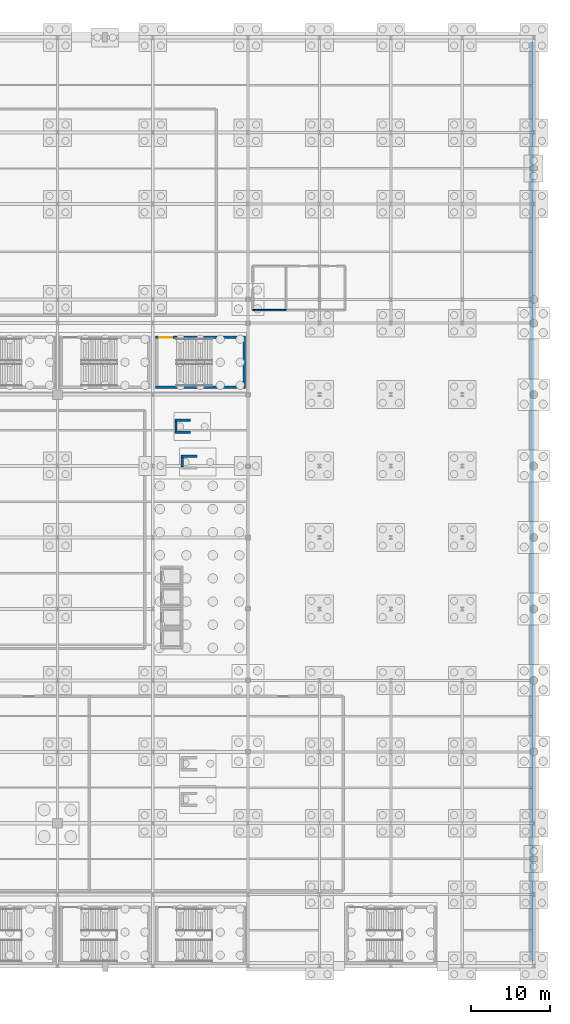
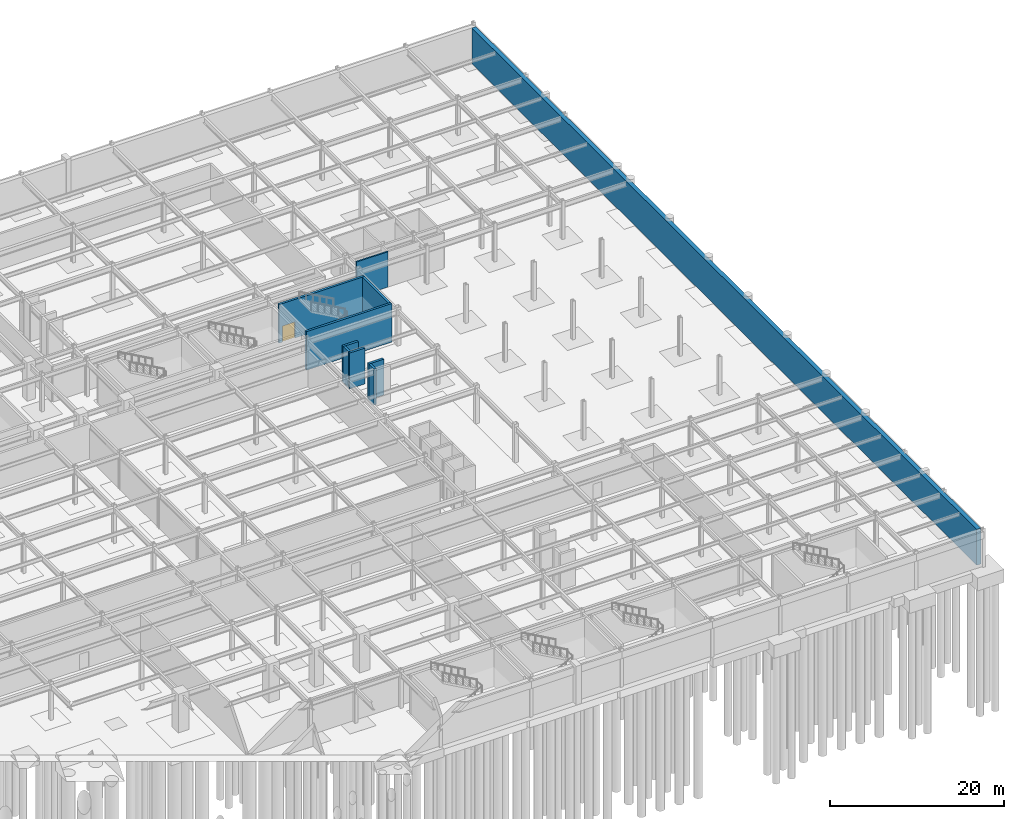
# One storey, part 34 of 47: 10 walls, 1 door, 1 opening.
"""IFC4 building model written with IfcOpenShell, lengths in metres."""

import ifcopenshell
import ifcopenshell.guid

model = None  # the IFC model being written
_history = None  # IfcOwnerHistory: only IFC2X3 demands one
_inside = {}  # id of a spatial element -> (the spatial element, [elements in it])
_under = {}  # id of a project, library or spatial element -> (it, [spatial elements below it])
_declared = {}  # id of a project -> (the project, [libraries it declares])
_typed = {}  # id of a type object -> (the type object, [elements of that type])
_made_of = {}  # id of a material, layer set ... -> (it, [elements and type objects made of it])


def new_model(schema):
    """Start an empty IFC model of exactly this schema.

    Asked for "IFC4X3", IfcOpenShell would pick the latest addendum, in which some entities
    have other attributes; the version numbers below select the first issue.
    IFC2X3 requires an IfcOwnerHistory on every rooted entity: one is made here for all.
    """
    global model, _history
    if schema == "IFC4X3":
        model = ifcopenshell.file(schema_version=(4, 3, 0, 0))
    else:
        model = ifcopenshell.file(schema=schema)
    _inside.clear()
    _under.clear()
    _declared.clear()
    _typed.clear()
    _made_of.clear()
    _history = None
    if model.schema == "IFC2X3":
        org = make("IfcOrganization", Name="unknown")
        user = make(
            "IfcPersonAndOrganization",
            ThePerson=make("IfcPerson", FamilyName="unknown"),
            TheOrganization=org,
        )
        app = make(
            "IfcApplication",
            ApplicationDeveloper=org,
            Version="unknown",
            ApplicationFullName="unknown",
            ApplicationIdentifier="unknown",
        )
        _history = make(
            "IfcOwnerHistory",
            OwningUser=user,
            OwningApplication=app,
            ChangeAction="ADDED",
            CreationDate=0,
        )
    return model


def make(cls, **values):
    """One entity of the class cls with the attributes given. An attribute that is None is left unset."""
    return model.create_entity(
        cls, **{name: value for name, value in values.items() if value is not None}
    )


def rooted(cls, **values):
    """An entity with a GlobalId (a new one), such as an element, a storey or a relation."""
    return make(cls, GlobalId=ifcopenshell.guid.new(), OwnerHistory=_history, **values)


def si_unit(unit_type, name, prefix=None):
    """IfcSIUnit, for example si_unit("LENGTHUNIT", "METRE", prefix="MILLI")."""
    return make("IfcSIUnit", UnitType=unit_type, Prefix=prefix, Name=name)


def assignment(units):
    """IfcUnitAssignment: the units of a project."""
    return None if units is None else make("IfcUnitAssignment", Units=units)


def point(xyz):
    """IfcCartesianPoint."""
    return None if xyz is None else make("IfcCartesianPoint", Coordinates=xyz)


def direction(xyz):
    """IfcDirection."""
    return None if xyz is None else make("IfcDirection", DirectionRatios=xyz)


def frame(location, z_axis=None, x_axis=None):
    """IfcAxis2Placement3D, a coordinate frame: its origin and axes. An axis left out is left unset."""
    return make(
        "IfcAxis2Placement3D",
        Location=point(location),
        Axis=direction(z_axis),
        RefDirection=direction(x_axis),
    )


def frame_2d(location, x_axis=None):
    """IfcAxis2Placement2D, a coordinate frame in the plane: its origin and x axis."""
    return make(
        "IfcAxis2Placement2D", Location=point(location), RefDirection=direction(x_axis)
    )


def origin():
    """The frame at (0, 0, 0) with its axes left unset."""
    return frame((0.0, 0.0, 0.0))


def place(relative_to, where):
    """IfcLocalPlacement: puts the frame where relative to a parent placement (None: the world)."""
    return make(
        "IfcLocalPlacement", PlacementRelTo=relative_to, RelativePlacement=where
    )


def context(
    kind, dimensions, precision=None, world=None, true_north=None, identifier=None
):
    """IfcGeometricRepresentationContext, for example the 3D "Model" context."""
    return make(
        "IfcGeometricRepresentationContext",
        ContextIdentifier=identifier,
        ContextType=kind,
        CoordinateSpaceDimension=dimensions,
        Precision=precision,
        WorldCoordinateSystem=world,
        TrueNorth=true_north,
    )


def subcontext(parent, identifier, kind, view, scale=None):
    """IfcGeometricRepresentationSubContext, for example "Body" below "Model"."""
    return make(
        "IfcGeometricRepresentationSubContext",
        ContextIdentifier=identifier,
        ContextType=kind,
        ParentContext=parent,
        TargetScale=scale,
        TargetView=view,
    )


def project(units=None, contexts=None):
    """IfcProject with its units and contexts."""
    return rooted(
        "IfcProject",
        Name="project",
        RepresentationContexts=contexts,
        UnitsInContext=assignment(units),
    )


def spatial(cls, under=None, at=None, **own):
    """A site, building, storey or space (cls), placed at a placement, below another one or the project."""
    s = rooted(cls, ObjectPlacement=at, **own)
    if under is not None:
        _under.setdefault(under.id(), (under, []))[1].append(s)
    return s


def profile(cls, at=None, kind="AREA", **sizes):
    """A parametric profile (cls). Its sizes go by their IFC names, for example OverallWidth=200.0."""
    return make(cls, ProfileType=kind, Position=at, **sizes)


def rectangle(**sizes):
    """IfcRectangleProfileDef."""
    return profile("IfcRectangleProfileDef", **sizes)


def extrude(swept, where, along, depth):
    """IfcExtrudedAreaSolid: the profile swept, set in the frame where, extruded along a direction by depth."""
    return make(
        "IfcExtrudedAreaSolid",
        SweptArea=swept,
        Position=where,
        ExtrudedDirection=direction(along),
        Depth=depth,
    )


def shape(context_of_items, identifier, shape_type, items):
    """IfcShapeRepresentation: the items that make up one representation, for example the "Body"."""
    return make(
        "IfcShapeRepresentation",
        ContextOfItems=context_of_items,
        RepresentationIdentifier=identifier,
        RepresentationType=shape_type,
        Items=items,
    )


def material(Name=None, Category=None):
    """IfcMaterial."""
    return make("IfcMaterial", Name=Name, Category=Category)


def layer(
    of_material, thickness, ventilated=None, Name=None, Category=None, Priority=None
):
    """IfcMaterialLayer: one layer of a wall or slab, of a material (None: an air gap)."""
    return make(
        "IfcMaterialLayer",
        Material=of_material,
        LayerThickness=thickness,
        IsVentilated=ventilated,
        Name=Name,
        Category=Category,
        Priority=Priority,
    )


def layer_set(layers, Name=None):
    """IfcMaterialLayerSet."""
    return make("IfcMaterialLayerSet", MaterialLayers=layers, LayerSetName=Name)


def made_of(thing, what):
    """Note that an element or type object is made of a material, layer set ...; save() writes the relation."""
    if what is not None:
        _made_of.setdefault(what.id(), (what, []))[1].append(thing)
    return thing


def type_object(cls, material=None, **own):
    """A type object (cls), such as IfcWallType, which elements share."""
    return made_of(rooted(cls, **own), material)


def element(
    cls,
    number,
    at=None,
    inside=None,
    cuts=None,
    type_object=None,
    material=None,
    context=None,
    identifier="Body",
    shape_type=None,
    held_by="IfcProductDefinitionShape",
    body=None,
    shapes=None,
    **own,
):
    """One element of the class cls, such as IfcWall. Its Tag is "e" and its number.

    at: its placement. inside: the storey or other place that contains it. cuts: it is an
    opening in that element (IfcRelVoidsElement). A single representation is given by context,
    identifier, shape_type and body (its items); several are given by shapes. held_by: the class
    of the entity that holds the representations. save() writes the other relations.
    """
    e = rooted(cls, Tag="e%d" % number, ObjectPlacement=at, **own)
    if body is not None:
        shapes = [shape(context, identifier, shape_type, body)]
    if shapes is not None:
        e.Representation = make(held_by, Representations=shapes)
    if inside is not None:
        _inside.setdefault(inside.id(), (inside, []))[1].append(e)
    if cuts is not None:
        rooted(
            "IfcRelVoidsElement", RelatingBuildingElement=cuts, RelatedOpeningElement=e
        )
    if type_object is not None:
        _typed.setdefault(type_object.id(), (type_object, []))[1].append(e)
    return made_of(e, material)


def fill(opening, filler):
    """IfcRelFillsElement: the door or window that sits in an opening."""
    return rooted(
        "IfcRelFillsElement",
        RelatingOpeningElement=opening,
        RelatedBuildingElement=filler,
    )


def aggregate(whole, parts):
    """IfcRelAggregates: a whole, such as a stair, and the parts it consists of."""
    return rooted("IfcRelAggregates", RelatingObject=whole, RelatedObjects=parts)


def save(model, path):
    """Write the relations noted so far, then the file.

    IfcRelAggregates (storeys below a building ...), IfcRelContainedInSpatialStructure (elements
    in a storey), IfcRelDefinesByType, IfcRelAssociatesMaterial and IfcRelDeclares: one each for
    every whole, place, type object, material and project.
    """
    for whole, parts in _under.values():
        aggregate(whole, parts)
    for where, things in _inside.values():
        rooted(
            "IfcRelContainedInSpatialStructure",
            RelatedElements=things,
            RelatingStructure=where,
        )
    for kind, things in _typed.values():
        rooted("IfcRelDefinesByType", RelatedObjects=things, RelatingType=kind)
    for what, things in _made_of.values():
        rooted("IfcRelAssociatesMaterial", RelatedObjects=things, RelatingMaterial=what)
    for by, libraries in _declared.values():
        rooted("IfcRelDeclares", RelatingContext=by, RelatedDefinitions=libraries)
    model.write(path)


model = new_model("IFC4")

# Units and contexts
model_context = context("Model", 3, precision=1e-05, world=origin(), true_north=direction((0.0, 1.0)))
body_context = subcontext(model_context, "Body", "Model", "MODEL_VIEW")
ifc_project = project(units=[si_unit("LENGTHUNIT", "METRE"), si_unit("AREAUNIT", "SQUARE_METRE"), si_unit("VOLUMEUNIT", "CUBIC_METRE"), si_unit("PLANEANGLEUNIT", "RADIAN"), si_unit("MASSUNIT", "GRAM", prefix="KILO")], contexts=[model_context])

# Site, building, storey
site_placement = place(None, origin())
site = spatial("IfcSite", under=ifc_project, at=site_placement, CompositionType="ELEMENT")
building_placement = place(site_placement, origin())
building = spatial("IfcBuilding", under=site, at=building_placement, Name="Kaldorvane Square Convention Centre", CompositionType="ELEMENT")
storey_placement = place(building_placement, frame((0.0, 0.0, -5.399993896484375)))
storey = spatial("IfcBuildingStorey", under=building, at=storey_placement, Name="B01", CompositionType="ELEMENT", Elevation=-5.399993896484375)

# Walls
ifc_material_1 = material(Name="Fire-Rated Gypsum Board on Acoustic Steel Studs", Category="steel")
ifc_layer_1 = layer(ifc_material_1, 0.1999969482421875)
ifc_layer_set_1 = layer_set([ifc_layer_1], Name="Fire-Rated Gypsum Board on Acoustic Steel Studs")
wall_type_1 = type_object("IfcWallType", Name="WL-CORR-200", PredefinedType="PARTITIONING", material=ifc_layer_set_1)
wall_1_placement = place(storey_placement, frame((138.60000610351562, 82.64999389648438, 0.0), z_axis=(0.0, 0.0, 1.0), x_axis=(1.0, 0.0, 0.0)))
element("IfcWall", 1, at=wall_1_placement, inside=storey, type_object=wall_type_1, Name="East Concourse Men's Restroom (B01) S Wall", PredefinedType="PARTITIONING", context=body_context, shape_type="SweptSolid", body=[
    extrude(rectangle(XDim=4.1999969482421875, YDim=0.1999969482421875, at=frame_2d((2.100006103515625, 0.0))), origin(), (0.0, 0.0, 1.0), 4.959991455078125),
])
ifc_material_2 = material(Name="Concrete f'c = 42 MPa (Normalweight)", Category="concrete")
ifc_layer_2 = layer(ifc_material_2, 0.5500030517578125)
ifc_layer_set_2 = layer_set([ifc_layer_2], Name="Concrete f'c = 42 MPa (Normalweight)")
wall_type_2 = type_object("IfcWallType", Name="WL-RET-550", PredefinedType="SOLIDWALL", material=ifc_layer_set_2)
wall_2_placement = place(storey_placement, frame((173.72500610351562, 0.5500030517578125, 0.0), z_axis=(0.0, 0.0, 1.0), x_axis=(0.0, 1.0, 0.0)))
element("IfcWall", 2, at=wall_2_placement, inside=storey, type_object=wall_type_2, Name="Basement Perimeter Retaining Wall E", PredefinedType="SOLIDWALL", context=body_context, shape_type="SweptSolid", body=[
    extrude(rectangle(XDim=115.89999389648438, YDim=0.5500030517578125, at=frame_2d((57.94999694824219, 0.0))), origin(), (0.0, 0.0, 1.0), 5.019989013671875),
])
ifc_material_3 = material(Name="Concrete f'c = 55 MPa (Normalweight)", Category="concrete")
ifc_layer_3 = layer(ifc_material_3, 0.3000030517578125)
ifc_layer_set_3 = layer_set([ifc_layer_3], Name="Concrete f'c = 55 MPa (Normalweight)")
wall_type_3 = type_object("IfcWallType", Name="WL-SHAFT-300", PredefinedType="SHEAR", material=ifc_layer_set_3)
wall_3_placement = place(storey_placement, frame((126.33999633789062, 72.94999694824219, 0.0), z_axis=(0.0, 0.0, 1.0), x_axis=(1.0, 0.0, 0.0)))
element("IfcWall", 3, at=wall_3_placement, inside=storey, type_object=wall_type_3, Name="Core Enclosure Wall stair:ST-C18-S (B01)", PredefinedType="SHEAR", context=body_context, shape_type="SweptSolid", body=[
    extrude(rectangle(XDim=11.32000732421875, YDim=0.3000030517578125, at=frame_2d((5.660003662109375, 0.0))), origin(), (0.0, 0.0, 1.0), 5.399993896484375),
])

# Wall, opening, door
wall_4_placement = place(storey_placement, frame((137.66000366210938, 79.21000671386719, 0.0), z_axis=(0.0, 0.0, 1.0), x_axis=(-1.0, 0.0, 0.0)))
wall_4 = element("IfcWall", 4, at=wall_4_placement, inside=storey, type_object=wall_type_3, Name="Core Enclosure Wall stair:ST-C18-N (B01)", PredefinedType="SHEAR", context=body_context, shape_type="SweptSolid", body=[
    extrude(rectangle(XDim=11.32000732421875, YDim=0.3000030517578125, at=frame_2d((5.660003662109375, 0.0))), origin(), (0.0, 0.0, 1.0), 5.399993896484375),
])
opening_placement = place(wall_4_placement, frame((9.220001220703125, 0.0, 0.0)))
opening = element("IfcOpeningElement", 5, at=opening_placement, cuts=wall_4, Name="Opening FD90-S2", PredefinedType="OPENING", context=body_context, shape_type="SweptSolid", body=[
    extrude(rectangle(XDim=1.649993896484375, YDim=2.25, at=frame_2d((0.8249969482421875, 1.125))), frame((0.0, 0.165008544921875, 0.0), z_axis=(0.0, -1.0, 0.0), x_axis=(1.0, 0.0, 0.0)), (0.0, 0.0, 1.0), 0.3300018310546875),
])
ifc_material_4 = material(Name="Fire-Rated Hollow Metal Steel", Category="steel")
door_type = type_object("IfcDoorType", Name="DR-STAIR-1650", OperationType="DOUBLE_DOOR_SINGLE_SWING", PredefinedType="DOOR", material=ifc_material_4)
door_placement = place(opening_placement, origin())
door = element("IfcDoor", 6, at=door_placement, inside=storey, type_object=door_type, Name="Convention Exit Stair C18 Fire Door (B01)", OperationType="DOUBLE_DOOR_SINGLE_SWING", OverallHeight=2.25, OverallWidth=1.649993896484375, PredefinedType="DOOR", context=body_context, shape_type="SweptSolid", body=[
    extrude(rectangle(XDim=1.649993896484375, YDim=2.25, at=frame_2d((0.8249969482421875, 1.125))), frame((0.0, 0.024993896484375, 0.0), z_axis=(0.0, -1.0, 0.0), x_axis=(1.0, 0.0, 0.0)), (0.0, 0.0, 1.0), 0.0500030517578125),
])
fill(opening, door)

# Walls
wall_5_placement = place(storey_placement, frame((137.50999450683594, 73.10000610351562, 0.0), z_axis=(0.0, 0.0, 1.0), x_axis=(0.0, 1.0, 0.0)))
element("IfcWall", 7, at=wall_5_placement, inside=storey, type_object=wall_type_3, Name="Core Enclosure Wall stair:ST-C18-E (B01)", PredefinedType="SHEAR", context=body_context, shape_type="SweptSolid", body=[
    extrude(rectangle(XDim=5.959991455078125, YDim=0.3000030517578125, at=frame_2d((2.9799957275390625, 0.0))), origin(), (0.0, 0.0, 1.0), 5.399993896484375),
])
wall_6_placement = place(storey_placement, frame((129.5800018310547, 64.25, 0.0), z_axis=(0.0, 0.0, 1.0), x_axis=(1.0, 0.0, 0.0)))
element("IfcWall", 8, at=wall_6_placement, inside=storey, type_object=wall_type_3, Name="East Foyer Grand Stair F3 Support Pier N (B01)", PredefinedType="SHEAR", context=body_context, shape_type="SweptSolid", body=[
    extrude(rectangle(XDim=2.0, YDim=0.3000030517578125, at=frame_2d((1.0, 0.0))), origin(), (0.0, 0.0, 1.0), 5.019989013671875),
])
wall_7_placement = place(storey_placement, frame((129.72999572753906, 62.899993896484375, 0.0), z_axis=(0.0, 0.0, 1.0), x_axis=(0.0, 1.0, 0.0)))
element("IfcWall", 9, at=wall_7_placement, inside=storey, type_object=wall_type_3, Name="East Foyer Grand Stair F3 Support Pier W (B01)", PredefinedType="SHEAR", context=body_context, shape_type="SweptSolid", body=[
    extrude(rectangle(XDim=1.20001220703125, YDim=0.3000030517578125, at=frame_2d((0.600006103515625, 0.0))), origin(), (0.0, 0.0, 1.0), 5.019989013671875),
])
for number, where, z_axis, x_axis, name in (
    (10, (128.77999877929688, 67.25, 0.0), (0.0, 0.0, 1.0), (1.0, 0.0, 0.0), "East Foyer Grand Stair F4 Support Pier S (B01)"),
    (11, (128.77999877929688, 68.75, 0.0), (0.0, 0.0, 1.0), (1.0, 0.0, 0.0), "East Foyer Grand Stair F4 Support Pier N (B01)"),
):
    element("IfcWall", number, at=place(storey_placement, frame(where, z_axis=z_axis, x_axis=x_axis)), inside=storey, type_object=wall_type_3, Name=name, PredefinedType="SHEAR", context=body_context, shape_type="SweptSolid", body=[
        extrude(rectangle(XDim=2.0, YDim=0.3000030517578125, at=frame_2d((1.0, 0.0))), origin(), (0.0, 0.0, 1.0), 5.019989013671875),
    ])
wall_8_placement = place(storey_placement, frame((128.92999267578125, 67.39999389648438, 0.0), z_axis=(0.0, 0.0, 1.0), x_axis=(0.0, 1.0, 0.0)))
element("IfcWall", 12, at=wall_8_placement, inside=storey, type_object=wall_type_3, Name="East Foyer Grand Stair F4 Support Pier W (B01)", PredefinedType="SHEAR", context=body_context, shape_type="SweptSolid", body=[
    extrude(rectangle(XDim=1.20001220703125, YDim=0.3000030517578125, at=frame_2d((0.600006103515625, 0.0))), origin(), (0.0, 0.0, 1.0), 5.019989013671875),
])

save(model, "model.ifc")
